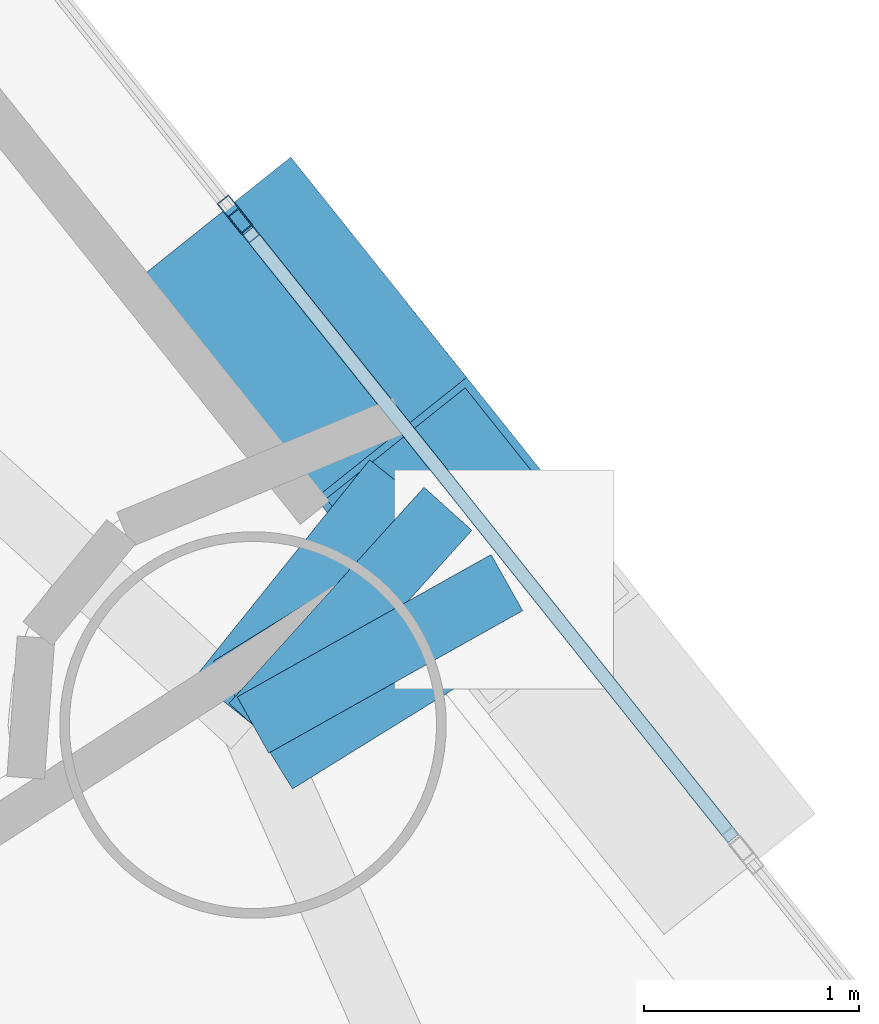
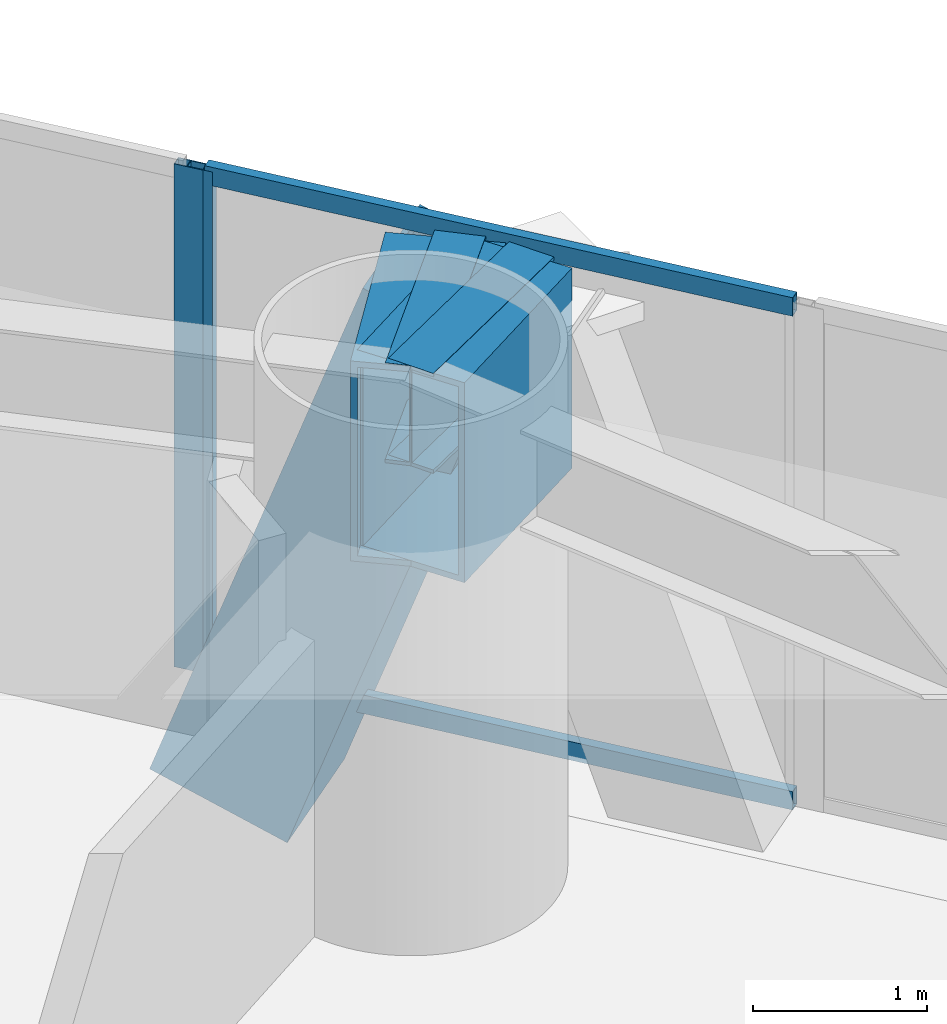
# One storey, part 10 of 23: 5 members, 4 beams, 2 elements without a shape of their own.
"""IFC4 building model written with IfcOpenShell, lengths in metres."""

import ifcopenshell
import ifcopenshell.guid

model = None  # the IFC model being written
_history = None  # IfcOwnerHistory: only IFC2X3 demands one
_inside = {}  # id of a spatial element -> (the spatial element, [elements in it])
_under = {}  # id of a project, library or spatial element -> (it, [spatial elements below it])
_declared = {}  # id of a project -> (the project, [libraries it declares])
_typed = {}  # id of a type object -> (the type object, [elements of that type])
_made_of = {}  # id of a material, layer set ... -> (it, [elements and type objects made of it])


def new_model(schema):
    """Start an empty IFC model of exactly this schema.

    Asked for "IFC4X3", IfcOpenShell would pick the latest addendum, in which some entities
    have other attributes; the version numbers below select the first issue.
    IFC2X3 requires an IfcOwnerHistory on every rooted entity: one is made here for all.
    """
    global model, _history
    if schema == "IFC4X3":
        model = ifcopenshell.file(schema_version=(4, 3, 0, 0))
    else:
        model = ifcopenshell.file(schema=schema)
    _inside.clear()
    _under.clear()
    _declared.clear()
    _typed.clear()
    _made_of.clear()
    _history = None
    if model.schema == "IFC2X3":
        org = make("IfcOrganization", Name="unknown")
        user = make(
            "IfcPersonAndOrganization",
            ThePerson=make("IfcPerson", FamilyName="unknown"),
            TheOrganization=org,
        )
        app = make(
            "IfcApplication",
            ApplicationDeveloper=org,
            Version="unknown",
            ApplicationFullName="unknown",
            ApplicationIdentifier="unknown",
        )
        _history = make(
            "IfcOwnerHistory",
            OwningUser=user,
            OwningApplication=app,
            ChangeAction="ADDED",
            CreationDate=0,
        )
    return model


def make(cls, **values):
    """One entity of the class cls with the attributes given. An attribute that is None is left unset."""
    return model.create_entity(
        cls, **{name: value for name, value in values.items() if value is not None}
    )


def rooted(cls, **values):
    """An entity with a GlobalId (a new one), such as an element, a storey or a relation."""
    return make(cls, GlobalId=ifcopenshell.guid.new(), OwnerHistory=_history, **values)


def si_unit(unit_type, name, prefix=None):
    """IfcSIUnit, for example si_unit("LENGTHUNIT", "METRE", prefix="MILLI")."""
    return make("IfcSIUnit", UnitType=unit_type, Prefix=prefix, Name=name)


def assignment(units):
    """IfcUnitAssignment: the units of a project."""
    return None if units is None else make("IfcUnitAssignment", Units=units)


def point(xyz):
    """IfcCartesianPoint."""
    return None if xyz is None else make("IfcCartesianPoint", Coordinates=xyz)


def direction(xyz):
    """IfcDirection."""
    return None if xyz is None else make("IfcDirection", DirectionRatios=xyz)


def frame(location, z_axis=None, x_axis=None):
    """IfcAxis2Placement3D, a coordinate frame: its origin and axes. An axis left out is left unset."""
    return make(
        "IfcAxis2Placement3D",
        Location=point(location),
        Axis=direction(z_axis),
        RefDirection=direction(x_axis),
    )


def frame_2d(location, x_axis=None):
    """IfcAxis2Placement2D, a coordinate frame in the plane: its origin and x axis."""
    return make(
        "IfcAxis2Placement2D", Location=point(location), RefDirection=direction(x_axis)
    )


def origin():
    """The frame at (0, 0, 0) with its axes left unset."""
    return frame((0.0, 0.0, 0.0))


def origin_2d():
    """The frame at (0, 0) in the plane with its x axis left unset."""
    return frame_2d((0.0, 0.0))


def place(relative_to, where):
    """IfcLocalPlacement: puts the frame where relative to a parent placement (None: the world)."""
    return make(
        "IfcLocalPlacement", PlacementRelTo=relative_to, RelativePlacement=where
    )


def context(
    kind, dimensions, precision=None, world=None, true_north=None, identifier=None
):
    """IfcGeometricRepresentationContext, for example the 3D "Model" context."""
    return make(
        "IfcGeometricRepresentationContext",
        ContextIdentifier=identifier,
        ContextType=kind,
        CoordinateSpaceDimension=dimensions,
        Precision=precision,
        WorldCoordinateSystem=world,
        TrueNorth=true_north,
    )


def subcontext(parent, identifier, kind, view, scale=None):
    """IfcGeometricRepresentationSubContext, for example "Body" below "Model"."""
    return make(
        "IfcGeometricRepresentationSubContext",
        ContextIdentifier=identifier,
        ContextType=kind,
        ParentContext=parent,
        TargetScale=scale,
        TargetView=view,
    )


def project(units=None, contexts=None):
    """IfcProject with its units and contexts."""
    return rooted(
        "IfcProject",
        Name="project",
        RepresentationContexts=contexts,
        UnitsInContext=assignment(units),
    )


def spatial(cls, under=None, at=None, **own):
    """A site, building, storey or space (cls), placed at a placement, below another one or the project."""
    s = rooted(cls, ObjectPlacement=at, **own)
    if under is not None:
        _under.setdefault(under.id(), (under, []))[1].append(s)
    return s


def profile(cls, at=None, kind="AREA", **sizes):
    """A parametric profile (cls). Its sizes go by their IFC names, for example OverallWidth=200.0."""
    return make(cls, ProfileType=kind, Position=at, **sizes)


def hollow_rectangle(**sizes):
    """IfcRectangleHollowProfileDef."""
    return profile("IfcRectangleHollowProfileDef", **sizes)


def i_section(**sizes):
    """IfcIShapeProfileDef."""
    return profile("IfcIShapeProfileDef", **sizes)


def extrude(swept, where, along, depth):
    """IfcExtrudedAreaSolid: the profile swept, set in the frame where, extruded along a direction by depth."""
    return make(
        "IfcExtrudedAreaSolid",
        SweptArea=swept,
        Position=where,
        ExtrudedDirection=direction(along),
        Depth=depth,
    )


def shape(context_of_items, identifier, shape_type, items):
    """IfcShapeRepresentation: the items that make up one representation, for example the "Body"."""
    return make(
        "IfcShapeRepresentation",
        ContextOfItems=context_of_items,
        RepresentationIdentifier=identifier,
        RepresentationType=shape_type,
        Items=items,
    )


def material(Name=None, Category=None):
    """IfcMaterial."""
    return make("IfcMaterial", Name=Name, Category=Category)


def layer(
    of_material, thickness, ventilated=None, Name=None, Category=None, Priority=None
):
    """IfcMaterialLayer: one layer of a wall or slab, of a material (None: an air gap)."""
    return make(
        "IfcMaterialLayer",
        Material=of_material,
        LayerThickness=thickness,
        IsVentilated=ventilated,
        Name=Name,
        Category=Category,
        Priority=Priority,
    )


def layer_set(layers, Name=None):
    """IfcMaterialLayerSet."""
    return make("IfcMaterialLayerSet", MaterialLayers=layers, LayerSetName=Name)


def material_profile(
    of_material, cross_section, Name=None, Category=None, Priority=None
):
    """IfcMaterialProfile: a cross section and its material."""
    return make(
        "IfcMaterialProfile",
        Name=Name,
        Material=of_material,
        Profile=cross_section,
        Priority=Priority,
        Category=Category,
    )


def profile_set(profiles, Name=None, composite=None):
    """IfcMaterialProfileSet."""
    return make(
        "IfcMaterialProfileSet",
        Name=Name,
        MaterialProfiles=profiles,
        CompositeProfile=composite,
    )


def made_of(thing, what):
    """Note that an element or type object is made of a material, layer set ...; save() writes the relation."""
    if what is not None:
        _made_of.setdefault(what.id(), (what, []))[1].append(thing)
    return thing


def type_object(cls, material=None, **own):
    """A type object (cls), such as IfcWallType, which elements share."""
    return made_of(rooted(cls, **own), material)


def element(
    cls,
    number,
    at=None,
    inside=None,
    cuts=None,
    type_object=None,
    material=None,
    context=None,
    identifier="Body",
    shape_type=None,
    held_by="IfcProductDefinitionShape",
    body=None,
    shapes=None,
    **own,
):
    """One element of the class cls, such as IfcWall. Its Tag is "e" and its number.

    at: its placement. inside: the storey or other place that contains it. cuts: it is an
    opening in that element (IfcRelVoidsElement). A single representation is given by context,
    identifier, shape_type and body (its items); several are given by shapes. held_by: the class
    of the entity that holds the representations. save() writes the other relations.
    """
    e = rooted(cls, Tag="e%d" % number, ObjectPlacement=at, **own)
    if body is not None:
        shapes = [shape(context, identifier, shape_type, body)]
    if shapes is not None:
        e.Representation = make(held_by, Representations=shapes)
    if inside is not None:
        _inside.setdefault(inside.id(), (inside, []))[1].append(e)
    if cuts is not None:
        rooted(
            "IfcRelVoidsElement", RelatingBuildingElement=cuts, RelatedOpeningElement=e
        )
    if type_object is not None:
        _typed.setdefault(type_object.id(), (type_object, []))[1].append(e)
    return made_of(e, material)


def aggregate(whole, parts):
    """IfcRelAggregates: a whole, such as a stair, and the parts it consists of."""
    return rooted("IfcRelAggregates", RelatingObject=whole, RelatedObjects=parts)


def save(model, path):
    """Write the relations noted so far, then the file.

    IfcRelAggregates (storeys below a building ...), IfcRelContainedInSpatialStructure (elements
    in a storey), IfcRelDefinesByType, IfcRelAssociatesMaterial and IfcRelDeclares: one each for
    every whole, place, type object, material and project.
    """
    for whole, parts in _under.values():
        aggregate(whole, parts)
    for where, things in _inside.values():
        rooted(
            "IfcRelContainedInSpatialStructure",
            RelatedElements=things,
            RelatingStructure=where,
        )
    for kind, things in _typed.values():
        rooted("IfcRelDefinesByType", RelatedObjects=things, RelatingType=kind)
    for what, things in _made_of.values():
        rooted("IfcRelAssociatesMaterial", RelatedObjects=things, RelatingMaterial=what)
    for by, libraries in _declared.values():
        rooted("IfcRelDeclares", RelatingContext=by, RelatedDefinitions=libraries)
    model.write(path)


model = new_model("IFC4")

# Units and contexts
model_context = context("Model", 3, precision=1e-05, world=origin(), true_north=direction((0.0, 1.0)))
body_context = subcontext(model_context, "Body", "Model", "MODEL_VIEW")
ifc_project = project(units=[si_unit("LENGTHUNIT", "METRE"), si_unit("AREAUNIT", "SQUARE_METRE"), si_unit("VOLUMEUNIT", "CUBIC_METRE"), si_unit("PLANEANGLEUNIT", "RADIAN"), si_unit("MASSUNIT", "GRAM", prefix="KILO")], contexts=[model_context])

# Site, building, storey
site_placement = place(None, origin())
site = spatial("IfcSite", under=ifc_project, at=site_placement, CompositionType="ELEMENT")
building_placement = place(site_placement, origin())
building = spatial("IfcBuilding", under=site, at=building_placement, Name="Qianvela Tower", CompositionType="ELEMENT")
storey_placement = place(building_placement, frame((0.0, 0.0, 36.800048828125)))
storey = spatial("IfcBuildingStorey", under=building, at=storey_placement, Name="L08", CompositionType="ELEMENT", Elevation=36.800048828125)

# Beams
ifc_material_1 = material(Name="Steel Q355B", Category="steel")
ifc_material_profile_1 = material_profile(ifc_material_1, i_section(OverallWidth=0.300048828125, OverallDepth=0.699951171875, WebThickness=0.012939453125, FlangeThickness=0.02392578125, at=origin_2d()), Name="HN700x300x13x24")
ifc_profile_set_1 = profile_set([ifc_material_profile_1], Name="Steel Q355B")
beam_type_1 = type_object("IfcBeamType", Name="BM-HN700-SPAND", PredefinedType="SPANDREL", material=ifc_profile_set_1)
beam_1_placement = place(storey_placement, frame((47.736083984375, 32.636962890625, 3.16796875), z_axis=(0.872247965486, 0.489063888163, 0.0), x_axis=(-0.489063888163, 0.872247965486, 0.0)))
element("IfcBeam", 1, at=beam_1_placement, inside=storey, type_object=beam_type_1, Name="L08 Mega-Brace Column Tie Bracket F1-1", PredefinedType="SPANDREL", context=body_context, shape_type="SweptSolid", body=[
    extrude(i_section(OverallWidth=0.300048828125, OverallDepth=0.699951171875, WebThickness=0.012939453125, FlangeThickness=0.02392578125, at=origin_2d()), origin(), (0.0, 0.0, 1.0), 1.355712890625),
])
beam_2_placement = place(storey_placement, frame((47.736083984375, 32.636962890625, 3.16796875), z_axis=(0.669799917421, 0.742541628882, 0.0), x_axis=(-0.742541628882, 0.669799917421, 0.0)))
element("IfcBeam", 2, at=beam_2_placement, inside=storey, type_object=beam_type_1, Name="L08 Mega-Brace Column Tie Bracket F1-2", PredefinedType="SPANDREL", context=body_context, shape_type="SweptSolid", body=[
    extrude(i_section(OverallWidth=0.300048828125, OverallDepth=0.699951171875, WebThickness=0.012939453125, FlangeThickness=0.02392578125, at=origin_2d()), origin(), (0.0, 0.0, 1.0), 1.35595703125),
])
ifc_material_2 = material(Name="Steel Q420GJC", Category="steel")
ifc_material_profile_2 = material_profile(ifc_material_2, hollow_rectangle(XDim=0.699951171875, YDim=1.39990234375, WallThickness=0.0400390625, at=origin_2d()), Name="TG-BOX-1400x700x40")
ifc_profile_set_2 = profile_set([ifc_material_profile_2], Name="Steel Q420GJC")
beam_type_2 = type_object("IfcBeamType", Name="BM-TG-STEP-1400", PredefinedType="BEAM", material=ifc_profile_set_2)
beam_3_placement = place(storey_placement, frame((47.736083984375, 32.636962890625, 2.81494140625), z_axis=(0.850201256624, 0.526457807649, 0.0), x_axis=(-0.526457807649, 0.850201256624, 0.0)))
element("IfcBeam", 3, at=beam_3_placement, inside=storey, type_object=beam_type_2, Name="L08 Mega-Brace Zone Base Bracket F1-1", PredefinedType="BEAM", context=body_context, shape_type="SweptSolid", body=[
    extrude(hollow_rectangle(XDim=0.699951171875, YDim=1.39990234375, WallThickness=0.0400390625, at=origin_2d()), origin(), (0.0, 0.0, 1.0), 1.30322265625),
])
beam_4_placement = place(storey_placement, frame((47.736083984375, 32.636962890625, 2.81494140625), z_axis=(0.626521207485, 0.779404372948, 0.0), x_axis=(-0.779404372948, 0.626521207485, 0.0)))
element("IfcBeam", 4, at=beam_4_placement, inside=storey, type_object=beam_type_2, Name="L08 Mega-Brace Zone Base Bracket F1-2", PredefinedType="BEAM", context=body_context, shape_type="SweptSolid", body=[
    extrude(hollow_rectangle(XDim=0.699951171875, YDim=1.39990234375, WallThickness=0.0400390625, at=origin_2d()), origin(), (0.0, 0.0, 1.0), 1.302978515625),
])

# Curtain wall, members
ifc_material_3 = material(Name="Anodised Architectural Aluminium and Insulated Spandrel Panel", Category="aluminium")
ifc_layer_1 = layer(ifc_material_3, 0.179931640625)
ifc_layer_set_1 = layer_set([ifc_layer_1], Name="Anodised Architectural Aluminium and Insulated Spandrel Panel")
curtain_wall_type_1 = type_object("IfcCurtainWallType", Name="CW-BRACEBAY", PredefinedType="USERDEFINED", material=ifc_layer_set_1)
curtain_wall_1_placement = place(storey_placement, origin())
curtain_wall_1 = element("IfcCurtainWall", 5, at=curtain_wall_1_placement, inside=storey, type_object=curtain_wall_type_1, Name="L08 CW-BRACEBAY Curtain Wall 02B", ObjectType="CURTAIN_WALL_SYSTEM", PredefinedType="USERDEFINED")
ifc_material_4 = material(Name="Anodised Architectural Aluminium 6063-T6", Category="aluminium")
ifc_material_profile_3 = material_profile(ifc_material_4, hollow_rectangle(XDim=0.06494140625, YDim=0.159912109375, WallThickness=0.0048828125, at=origin_2d()), Name="ALU-MULL-65x160")
ifc_profile_set_3 = profile_set([ifc_material_profile_3], Name="Anodised Architectural Aluminium 6063-T6")
member_type_1 = type_object("IfcMemberType", Name="CW-BRACEBAY-MULL", PredefinedType="MULLION", material=ifc_profile_set_3)
member_1_placement = place(storey_placement, frame((47.693603515625, 34.96240234375, 0.0), z_axis=(0.0, 0.0, 1.0), x_axis=(-0.781443440577, -0.623976080614, 0.0)))
member_1 = element("IfcMember", 6, at=member_1_placement, type_object=member_type_1, Name="CW-9 mullion 2", PredefinedType="MULLION", context=body_context, shape_type="SweptSolid", body=[
    extrude(hollow_rectangle(XDim=0.06494140625, YDim=0.159912109375, WallThickness=0.0048828125, at=origin_2d()), origin(), (0.0, 0.0, 1.0), 3.52001953125),
])
ifc_material_5 = material(Name="Anodised Architectural Aluminium 6063-T6", Category="aluminium")
ifc_material_profile_4 = material_profile(ifc_material_5, hollow_rectangle(XDim=0.06494140625, YDim=0.1298828125, WallThickness=0.00439453125, at=origin_2d()), Name="ALU-TRAN-65x130")
ifc_profile_set_4 = profile_set([ifc_material_profile_4], Name="Anodised Architectural Aluminium 6063-T6")
member_type_2 = type_object("IfcMemberType", Name="CW-BRACEBAY-TRAN", PredefinedType="USERDEFINED", material=ifc_profile_set_4)
member_2_placement = place(storey_placement, frame((49.97265625, 32.1083984375, 0.032470703125), z_axis=(-0.624003899978, 0.781421226236, 0.0), x_axis=(-0.781421226236, -0.624003899978, 0.0)))
member_2 = element("IfcMember", 7, at=member_2_placement, type_object=member_type_2, Name="CW-9 transom 1.1", ObjectType="TRANSOM", PredefinedType="USERDEFINED", context=body_context, shape_type="SweptSolid", body=[
    extrude(hollow_rectangle(XDim=0.06494140625, YDim=0.1298828125, WallThickness=0.00439453125, at=origin_2d()), origin(), (0.0, 0.0, 1.0), 3.619873046875),
])
member_3_placement = place(storey_placement, frame((49.97265625, 32.1083984375, 3.487548828125), z_axis=(-0.624003899978, 0.781421226236, 0.0), x_axis=(-0.781421226236, -0.624003899978, 0.0)))
member_3 = element("IfcMember", 8, at=member_3_placement, type_object=member_type_2, Name="CW-9 transom 1.2", ObjectType="TRANSOM", PredefinedType="USERDEFINED", context=body_context, shape_type="SweptSolid", body=[
    extrude(hollow_rectangle(XDim=0.06494140625, YDim=0.1298828125, WallThickness=0.00439453125, at=origin_2d()), origin(), (0.0, 0.0, 1.0), 3.619873046875),
])
aggregate(curtain_wall_1, [member_1, member_2, member_3])

# Curtain wall, member
ifc_material_6 = material(Name="Anodised Architectural Aluminium and Low-E Glass", Category="aluminium")
ifc_layer_2 = layer(ifc_material_6, 0.179931640625)
ifc_layer_set_2 = layer_set([ifc_layer_2], Name="Anodised Architectural Aluminium and Low-E Glass")
curtain_wall_type_2 = type_object("IfcCurtainWallType", Name="CW-COLIV-Z12", PredefinedType="USERDEFINED", material=ifc_layer_set_2)
curtain_wall_2_placement = place(storey_placement, origin())
curtain_wall_2 = element("IfcCurtainWall", 9, at=curtain_wall_2_placement, inside=storey, type_object=curtain_wall_type_2, Name="L08 CW-COLIV-Z12 Curtain Wall 02C", ObjectType="CURTAIN_WALL_SYSTEM", PredefinedType="USERDEFINED")
ifc_material_7 = material(Name="Anodised Architectural Aluminium 6063-T6", Category="aluminium")
ifc_material_profile_5 = material_profile(ifc_material_7, hollow_rectangle(XDim=0.070068359375, YDim=0.179931640625, WallThickness=0.0048828125, at=origin_2d()), Name="ALU-MULL-70x180")
ifc_profile_set_5 = profile_set([ifc_material_profile_5], Name="Anodised Architectural Aluminium 6063-T6")
member_type_3 = type_object("IfcMemberType", Name="CW-COLIV-Z12-MULL", PredefinedType="MULLION", material=ifc_profile_set_5)
member_4_placement = place(storey_placement, frame((47.651611328125, 35.01513671875, 0.0), z_axis=(0.0, 0.0, 1.0), x_axis=(-0.781444361962, -0.623974926706, 0.0)))
member_4 = element("IfcMember", 10, at=member_4_placement, type_object=member_type_3, Name="CW-3 mullion 1", PredefinedType="MULLION", context=body_context, shape_type="SweptSolid", body=[
    extrude(hollow_rectangle(XDim=0.070068359375, YDim=0.179931640625, WallThickness=0.0048828125, at=origin_2d()), origin(), (0.0, 0.0, 1.0), 3.52001953125),
])
aggregate(curtain_wall_2, [member_4])

# Member
ifc_material_8 = material(Name="Steel Q420GJC", Category="steel")
ifc_material_profile_6 = material_profile(ifc_material_8, hollow_rectangle(XDim=0.89990234375, YDim=0.89990234375, WallThickness=0.035888671875, at=origin_2d()), Name="MBOX-900x900x36")
ifc_profile_set_6 = profile_set([ifc_material_profile_6], Name="Steel Q420GJC")
member_type_4 = type_object("IfcMemberType", Name="MBR-MBRACE-900", PredefinedType="BRACE", material=ifc_profile_set_6)
member_5_placement = place(storey_placement, frame((47.8251953125, 34.66943359375, -0.531982421875), z_axis=(0.208639416637, -0.261250130936, 0.942453162184), x_axis=(0.781394782186, 0.624037013624, 0.0)))
element("IfcMember", 11, at=member_5_placement, inside=storey, type_object=member_type_4, Name="L08 Tier 1 Exterior Mega-Brace F1B", PredefinedType="BRACE", context=body_context, shape_type="SweptSolid", body=[
    extrude(hollow_rectangle(XDim=0.89990234375, YDim=0.89990234375, WallThickness=0.035888671875, at=origin_2d()), origin(), (0.0, 0.0, 1.0), 3.92578125),
])

save(model, "model.ifc")
